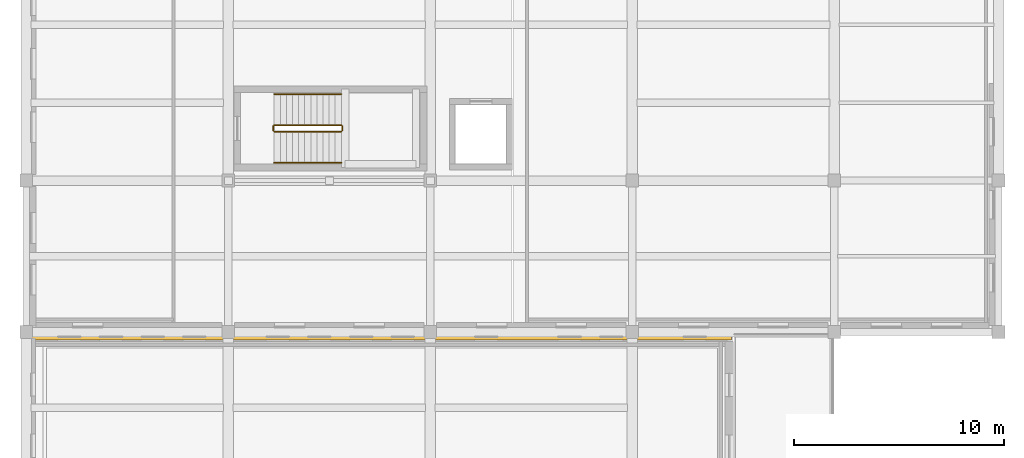
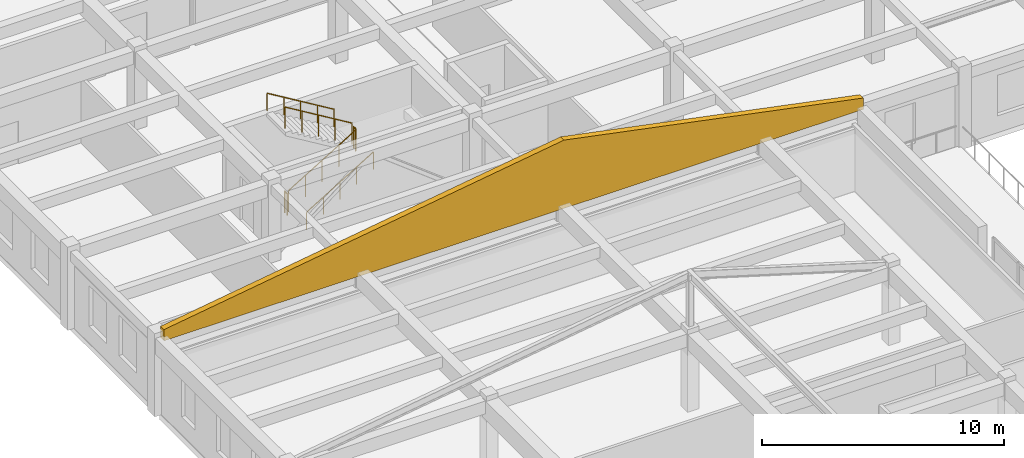
# One storey, part 24 of 31: 6 railings, 1 covering.
"""IFC4 building model written with IfcOpenShell, lengths in metres."""

import ifcopenshell
import ifcopenshell.guid

model = None  # the IFC model being written
_history = None  # IfcOwnerHistory: only IFC2X3 demands one
_inside = {}  # id of a spatial element -> (the spatial element, [elements in it])
_under = {}  # id of a project, library or spatial element -> (it, [spatial elements below it])
_declared = {}  # id of a project -> (the project, [libraries it declares])
_typed = {}  # id of a type object -> (the type object, [elements of that type])
_made_of = {}  # id of a material, layer set ... -> (it, [elements and type objects made of it])


def new_model(schema):
    """Start an empty IFC model of exactly this schema.

    Asked for "IFC4X3", IfcOpenShell would pick the latest addendum, in which some entities
    have other attributes; the version numbers below select the first issue.
    IFC2X3 requires an IfcOwnerHistory on every rooted entity: one is made here for all.
    """
    global model, _history
    if schema == "IFC4X3":
        model = ifcopenshell.file(schema_version=(4, 3, 0, 0))
    else:
        model = ifcopenshell.file(schema=schema)
    _inside.clear()
    _under.clear()
    _declared.clear()
    _typed.clear()
    _made_of.clear()
    _history = None
    if model.schema == "IFC2X3":
        org = make("IfcOrganization", Name="unknown")
        user = make(
            "IfcPersonAndOrganization",
            ThePerson=make("IfcPerson", FamilyName="unknown"),
            TheOrganization=org,
        )
        app = make(
            "IfcApplication",
            ApplicationDeveloper=org,
            Version="unknown",
            ApplicationFullName="unknown",
            ApplicationIdentifier="unknown",
        )
        _history = make(
            "IfcOwnerHistory",
            OwningUser=user,
            OwningApplication=app,
            ChangeAction="ADDED",
            CreationDate=0,
        )
    return model


def make(cls, **values):
    """One entity of the class cls with the attributes given. An attribute that is None is left unset."""
    return model.create_entity(
        cls, **{name: value for name, value in values.items() if value is not None}
    )


def rooted(cls, **values):
    """An entity with a GlobalId (a new one), such as an element, a storey or a relation."""
    return make(cls, GlobalId=ifcopenshell.guid.new(), OwnerHistory=_history, **values)


def si_unit(unit_type, name, prefix=None):
    """IfcSIUnit, for example si_unit("LENGTHUNIT", "METRE", prefix="MILLI")."""
    return make("IfcSIUnit", UnitType=unit_type, Prefix=prefix, Name=name)


def assignment(units):
    """IfcUnitAssignment: the units of a project."""
    return None if units is None else make("IfcUnitAssignment", Units=units)


def point(xyz):
    """IfcCartesianPoint."""
    return None if xyz is None else make("IfcCartesianPoint", Coordinates=xyz)


def direction(xyz):
    """IfcDirection."""
    return None if xyz is None else make("IfcDirection", DirectionRatios=xyz)


def frame(location, z_axis=None, x_axis=None):
    """IfcAxis2Placement3D, a coordinate frame: its origin and axes. An axis left out is left unset."""
    return make(
        "IfcAxis2Placement3D",
        Location=point(location),
        Axis=direction(z_axis),
        RefDirection=direction(x_axis),
    )


def frame_2d(location, x_axis=None):
    """IfcAxis2Placement2D, a coordinate frame in the plane: its origin and x axis."""
    return make(
        "IfcAxis2Placement2D", Location=point(location), RefDirection=direction(x_axis)
    )


def origin():
    """The frame at (0, 0, 0) with its axes left unset."""
    return frame((0.0, 0.0, 0.0))


def origin_2d():
    """The frame at (0, 0) in the plane with its x axis left unset."""
    return frame_2d((0.0, 0.0))


def place(relative_to, where):
    """IfcLocalPlacement: puts the frame where relative to a parent placement (None: the world)."""
    return make(
        "IfcLocalPlacement", PlacementRelTo=relative_to, RelativePlacement=where
    )


def context(
    kind, dimensions, precision=None, world=None, true_north=None, identifier=None
):
    """IfcGeometricRepresentationContext, for example the 3D "Model" context."""
    return make(
        "IfcGeometricRepresentationContext",
        ContextIdentifier=identifier,
        ContextType=kind,
        CoordinateSpaceDimension=dimensions,
        Precision=precision,
        WorldCoordinateSystem=world,
        TrueNorth=true_north,
    )


def subcontext(parent, identifier, kind, view, scale=None):
    """IfcGeometricRepresentationSubContext, for example "Body" below "Model"."""
    return make(
        "IfcGeometricRepresentationSubContext",
        ContextIdentifier=identifier,
        ContextType=kind,
        ParentContext=parent,
        TargetScale=scale,
        TargetView=view,
    )


def project(units=None, contexts=None):
    """IfcProject with its units and contexts."""
    return rooted(
        "IfcProject",
        Name="project",
        RepresentationContexts=contexts,
        UnitsInContext=assignment(units),
    )


def spatial(cls, under=None, at=None, **own):
    """A site, building, storey or space (cls), placed at a placement, below another one or the project."""
    s = rooted(cls, ObjectPlacement=at, **own)
    if under is not None:
        _under.setdefault(under.id(), (under, []))[1].append(s)
    return s


def polyline(points):
    """IfcPolyline through the points."""
    return make("IfcPolyline", Points=[point(p) for p in points])


def profile(cls, at=None, kind="AREA", **sizes):
    """A parametric profile (cls). Its sizes go by their IFC names, for example OverallWidth=200.0."""
    return make(cls, ProfileType=kind, Position=at, **sizes)


def circle(**sizes):
    """IfcCircleProfileDef."""
    return profile("IfcCircleProfileDef", **sizes)


def outline(outer, holes=None, kind="AREA"):
    """IfcArbitraryClosedProfileDef: a profile drawn as a closed curve; with holes, ...WithVoids."""
    if holes is None:
        return make("IfcArbitraryClosedProfileDef", ProfileType=kind, OuterCurve=outer)
    return make(
        "IfcArbitraryProfileDefWithVoids",
        ProfileType=kind,
        OuterCurve=outer,
        InnerCurves=holes,
    )


def extrude(swept, where, along, depth):
    """IfcExtrudedAreaSolid: the profile swept, set in the frame where, extruded along a direction by depth."""
    return make(
        "IfcExtrudedAreaSolid",
        SweptArea=swept,
        Position=where,
        ExtrudedDirection=direction(along),
        Depth=depth,
    )


def shape(context_of_items, identifier, shape_type, items):
    """IfcShapeRepresentation: the items that make up one representation, for example the "Body"."""
    return make(
        "IfcShapeRepresentation",
        ContextOfItems=context_of_items,
        RepresentationIdentifier=identifier,
        RepresentationType=shape_type,
        Items=items,
    )


def material(Name=None, Category=None):
    """IfcMaterial."""
    return make("IfcMaterial", Name=Name, Category=Category)


def layer(
    of_material, thickness, ventilated=None, Name=None, Category=None, Priority=None
):
    """IfcMaterialLayer: one layer of a wall or slab, of a material (None: an air gap)."""
    return make(
        "IfcMaterialLayer",
        Material=of_material,
        LayerThickness=thickness,
        IsVentilated=ventilated,
        Name=Name,
        Category=Category,
        Priority=Priority,
    )


def layer_set(layers, Name=None):
    """IfcMaterialLayerSet."""
    return make("IfcMaterialLayerSet", MaterialLayers=layers, LayerSetName=Name)


def made_of(thing, what):
    """Note that an element or type object is made of a material, layer set ...; save() writes the relation."""
    if what is not None:
        _made_of.setdefault(what.id(), (what, []))[1].append(thing)
    return thing


def type_object(cls, material=None, **own):
    """A type object (cls), such as IfcWallType, which elements share."""
    return made_of(rooted(cls, **own), material)


def element(
    cls,
    number,
    at=None,
    inside=None,
    cuts=None,
    type_object=None,
    material=None,
    context=None,
    identifier="Body",
    shape_type=None,
    held_by="IfcProductDefinitionShape",
    body=None,
    shapes=None,
    **own,
):
    """One element of the class cls, such as IfcWall. Its Tag is "e" and its number.

    at: its placement. inside: the storey or other place that contains it. cuts: it is an
    opening in that element (IfcRelVoidsElement). A single representation is given by context,
    identifier, shape_type and body (its items); several are given by shapes. held_by: the class
    of the entity that holds the representations. save() writes the other relations.
    """
    e = rooted(cls, Tag="e%d" % number, ObjectPlacement=at, **own)
    if body is not None:
        shapes = [shape(context, identifier, shape_type, body)]
    if shapes is not None:
        e.Representation = make(held_by, Representations=shapes)
    if inside is not None:
        _inside.setdefault(inside.id(), (inside, []))[1].append(e)
    if cuts is not None:
        rooted(
            "IfcRelVoidsElement", RelatingBuildingElement=cuts, RelatedOpeningElement=e
        )
    if type_object is not None:
        _typed.setdefault(type_object.id(), (type_object, []))[1].append(e)
    return made_of(e, material)


def aggregate(whole, parts):
    """IfcRelAggregates: a whole, such as a stair, and the parts it consists of."""
    return rooted("IfcRelAggregates", RelatingObject=whole, RelatedObjects=parts)


def save(model, path):
    """Write the relations noted so far, then the file.

    IfcRelAggregates (storeys below a building ...), IfcRelContainedInSpatialStructure (elements
    in a storey), IfcRelDefinesByType, IfcRelAssociatesMaterial and IfcRelDeclares: one each for
    every whole, place, type object, material and project.
    """
    for whole, parts in _under.values():
        aggregate(whole, parts)
    for where, things in _inside.values():
        rooted(
            "IfcRelContainedInSpatialStructure",
            RelatedElements=things,
            RelatingStructure=where,
        )
    for kind, things in _typed.values():
        rooted("IfcRelDefinesByType", RelatedObjects=things, RelatingType=kind)
    for what, things in _made_of.values():
        rooted("IfcRelAssociatesMaterial", RelatedObjects=things, RelatingMaterial=what)
    for by, libraries in _declared.values():
        rooted("IfcRelDeclares", RelatingContext=by, RelatedDefinitions=libraries)
    model.write(path)


model = new_model("IFC4")

# Units and contexts
model_context = context("Model", 3, precision=1e-05, world=origin(), true_north=direction((0.0, 1.0)))
body_context = subcontext(model_context, "Body", "Model", "MODEL_VIEW")
ifc_project = project(units=[si_unit("LENGTHUNIT", "METRE"), si_unit("AREAUNIT", "SQUARE_METRE"), si_unit("VOLUMEUNIT", "CUBIC_METRE"), si_unit("PLANEANGLEUNIT", "RADIAN"), si_unit("MASSUNIT", "GRAM", prefix="KILO")], contexts=[model_context])

# Site, building, storey
site_placement = place(None, origin())
site = spatial("IfcSite", under=ifc_project, at=site_placement, CompositionType="ELEMENT")
building_placement = place(site_placement, origin())
building = spatial("IfcBuilding", under=site, at=building_placement, Name="Tarnavel Promenade Courthouse", CompositionType="ELEMENT")
storey_placement = place(building_placement, frame((0.0, 0.0, 18.60009765625)))
storey = spatial("IfcBuildingStorey", under=building, at=storey_placement, Name="L05", CompositionType="ELEMENT", Elevation=18.60009765625)

# Railings
ifc_material_1 = material(Name="Brushed Bronze Tubular Stair Handrail")
railing_type_1 = type_object("IfcRailingType", Name="Brushed Bronze Tubular Stair Handrail (RL-HND-0900)", PredefinedType="HANDRAIL", material=ifc_material_1)
railing_1_placement = place(storey_placement, frame((11.780029296875, 75.25, 0.1748046875)))
element("IfcRailing", 1, at=railing_1_placement, inside=storey, type_object=railing_type_1, Name="L05 ST-04 stair handrail 1", PredefinedType="HANDRAIL", context=body_context, shape_type="SweptSolid", body=[
    extrude(circle(Radius=0.02392578125, at=origin_2d()), frame((0.0, 0.0, 0.8759765625), z_axis=(0.856177665481, 0.0, 0.516681531633), x_axis=(0.0, 1.0, 0.0)), (0.0, 0.0, 1.0), 3.725830078125),
    extrude(circle(Radius=0.02099609375, at=origin_2d()), origin(), (0.0, 0.0, 1.0), 0.851806640625),
    extrude(circle(Radius=0.02099609375, at=origin_2d()), frame((0.79736328125, 0.0, 0.481201171875)), (0.0, 0.0, 1.0), 0.851806640625),
    extrude(circle(Radius=0.02099609375, at=origin_2d()), frame((1.594970703125, 0.0, 0.96240234375)), (0.0, 0.0, 1.0), 0.851806640625),
    extrude(circle(Radius=0.02099609375, at=origin_2d()), frame((2.392578125, 0.0, 1.44384765625)), (0.0, 0.0, 1.0), 0.851806640625),
    extrude(circle(Radius=0.02099609375, at=origin_2d()), frame((3.18994140625, 0.0, 1.925048828125)), (0.0, 0.0, 1.0), 0.851806640625),
])
railing_2_placement = place(storey_placement, frame((14.969970703125, 78.510009765625, 2.27490234375)))
element("IfcRailing", 2, at=railing_2_placement, inside=storey, type_object=railing_type_1, Name="L05 ST-04 stair handrail 2", PredefinedType="HANDRAIL", context=body_context, shape_type="SweptSolid", body=[
    extrude(circle(Radius=0.02392578125, at=origin_2d()), frame((0.0, 0.0, 0.8759765625), z_axis=(-0.856177665481, 0.0, 0.516681531633), x_axis=(0.0, -1.0, 0.0)), (0.0, 0.0, 1.0), 3.725830078125),
    extrude(circle(Radius=0.02099609375, at=origin_2d()), origin(), (0.0, 0.0, 1.0), 0.851806640625),
    extrude(circle(Radius=0.02099609375, at=origin_2d()), frame((-0.79736328125, 0.0, 0.481201171875)), (0.0, 0.0, 1.0), 0.851806640625),
    extrude(circle(Radius=0.02099609375, at=origin_2d()), frame((-1.594970703125, 0.0, 0.96240234375)), (0.0, 0.0, 1.0), 0.851806640625),
    extrude(circle(Radius=0.02099609375, at=origin_2d()), frame((-2.392578125, 0.0, 1.44384765625)), (0.0, 0.0, 1.0), 0.851806640625),
    extrude(circle(Radius=0.02099609375, at=origin_2d()), frame((-3.18994140625, 0.0, 1.925048828125)), (0.0, 0.0, 1.0), 0.851806640625),
])

# Covering
ifc_material_2 = material(Name="Carved Buff Limestone Floor-Band Cornice Ledge", Category="masonry")
ifc_layer = layer(ifc_material_2, 0.320068359375)
ifc_layer_set = layer_set([ifc_layer], Name="Carved Buff Limestone Floor-Band Cornice Ledge")
covering_type = type_object("IfcCoveringType", Name="Carved Buff Limestone Floor-Band Cornice Ledge COV-LEDGE-320 (320 mm)", PredefinedType="CLADDING", material=ifc_layer_set)
covering_placement = place(storey_placement, frame((0.10009765625, 66.9599609375, 3.75), z_axis=(0.0, 0.0, 1.0), x_axis=(1.0, 0.0, 0.0)))
element("IfcCovering", 3, at=covering_placement, inside=storey, type_object=covering_type, Name="L05 Law Library North Setback Ashlar Gable Tympanum", PredefinedType="CLADDING", context=body_context, shape_type="SweptSolid", body=[
    extrude(outline(polyline([(0.0, 0.0), (33.39990234375, 0.0), (33.39990234375, 0.56982421875), (19.10009765625, 3.449951171875), (0.0, 0.56982421875), (0.0, 0.0)])), frame((0.0, 0.14013671875, 0.0), z_axis=(0.0, -1.0, 0.0), x_axis=(1.0, 0.0, 0.0)), (0.0, 0.0, 1.0), 0.280029296875),
])

# Railings
ifc_material_3 = material(Name="Painted Architectural Steel Core Stair Guardrail", Category="steel")
railing_type_2 = type_object("IfcRailingType", Name="Painted Architectural Steel Core Stair Guardrail (RL-GRD-1100)", PredefinedType="GUARDRAIL", material=ifc_material_3)
railing_3_placement = place(storey_placement, frame((11.780029296875, 76.72998046875, 0.1748046875)))
element("IfcRailing", 4, at=railing_3_placement, inside=storey, type_object=railing_type_2, Name="L05 ST-04 stair guard 1", PredefinedType="GUARDRAIL", context=body_context, shape_type="SweptSolid", body=[
    extrude(circle(Radius=0.02392578125, at=origin_2d()), frame((0.0, 0.0, 1.076171875), z_axis=(0.856177665481, 0.0, 0.516681531633), x_axis=(0.0, 1.0, 0.0)), (0.0, 0.0, 1.0), 3.725830078125),
    extrude(circle(Radius=0.02099609375, at=origin_2d()), origin(), (0.0, 0.0, 1.0), 1.052001953125),
    extrude(circle(Radius=0.02099609375, at=origin_2d()), frame((0.79736328125, 0.0, 0.481201171875)), (0.0, 0.0, 1.0), 1.052001953125),
    extrude(circle(Radius=0.02099609375, at=origin_2d()), frame((1.594970703125, 0.0, 0.96240234375)), (0.0, 0.0, 1.0), 1.052001953125),
    extrude(circle(Radius=0.02099609375, at=origin_2d()), frame((2.392578125, 0.0, 1.44384765625)), (0.0, 0.0, 1.0), 1.052001953125),
    extrude(circle(Radius=0.02099609375, at=origin_2d()), frame((3.18994140625, 0.0, 1.925048828125)), (0.0, 0.0, 1.0), 1.052001953125),
])
railing_4_placement = place(storey_placement, frame((15.02001953125, 76.780029296875, 2.099853515625)))
element("IfcRailing", 5, at=railing_4_placement, inside=storey, type_object=railing_type_2, Name="L05 ST-04 stair guard 2", PredefinedType="GUARDRAIL", context=body_context, shape_type="SweptSolid", body=[
    extrude(circle(Radius=0.02392578125, at=origin_2d()), frame((0.0, 0.0, 1.076171875), z_axis=(0.0, 1.0, 0.0), x_axis=(-1.0, 0.0, 0.0)), (0.0, 0.0, 1.0), 0.199951171875),
    extrude(circle(Radius=0.02099609375, at=origin_2d()), origin(), (0.0, 0.0, 1.0), 1.052001953125),
    extrude(circle(Radius=0.02099609375, at=origin_2d()), frame((0.0, 0.199951171875, 0.0)), (0.0, 0.0, 1.0), 1.052001953125),
])
railing_5_placement = place(storey_placement, frame((14.969970703125, 77.030029296875, 2.27490234375)))
element("IfcRailing", 6, at=railing_5_placement, inside=storey, type_object=railing_type_2, Name="L05 ST-04 stair guard 3", PredefinedType="GUARDRAIL", context=body_context, shape_type="SweptSolid", body=[
    extrude(circle(Radius=0.02392578125, at=origin_2d()), frame((0.0, 0.0, 1.076171875), z_axis=(-0.856177665481, 0.0, 0.516681531633), x_axis=(0.0, -1.0, 0.0)), (0.0, 0.0, 1.0), 3.725830078125),
    extrude(circle(Radius=0.02099609375, at=origin_2d()), origin(), (0.0, 0.0, 1.0), 1.052001953125),
    extrude(circle(Radius=0.02099609375, at=origin_2d()), frame((-0.79736328125, 0.0, 0.481201171875)), (0.0, 0.0, 1.0), 1.052001953125),
    extrude(circle(Radius=0.02099609375, at=origin_2d()), frame((-1.594970703125, 0.0, 0.96240234375)), (0.0, 0.0, 1.0), 1.052001953125),
    extrude(circle(Radius=0.02099609375, at=origin_2d()), frame((-2.392578125, 0.0, 1.44384765625)), (0.0, 0.0, 1.0), 1.052001953125),
    extrude(circle(Radius=0.02099609375, at=origin_2d()), frame((-3.18994140625, 0.0, 1.925048828125)), (0.0, 0.0, 1.0), 1.052001953125),
])
railing_6_placement = place(storey_placement, frame((11.72998046875, 76.780029296875, 0.0)))
element("IfcRailing", 7, at=railing_6_placement, inside=storey, type_object=railing_type_2, Name="L05 ST-04 stair guard 4", PredefinedType="GUARDRAIL", context=body_context, shape_type="SweptSolid", body=[
    extrude(circle(Radius=0.02392578125, at=origin_2d()), frame((0.0, 0.0, 1.076171875), z_axis=(0.0, 1.0, 0.0), x_axis=(-1.0, 0.0, 0.0)), (0.0, 0.0, 1.0), 0.199951171875),
    extrude(circle(Radius=0.02099609375, at=origin_2d()), origin(), (0.0, 0.0, 1.0), 1.052001953125),
    extrude(circle(Radius=0.02099609375, at=origin_2d()), frame((0.0, 0.199951171875, 0.0)), (0.0, 0.0, 1.0), 1.052001953125),
])

save(model, "model.ifc")
